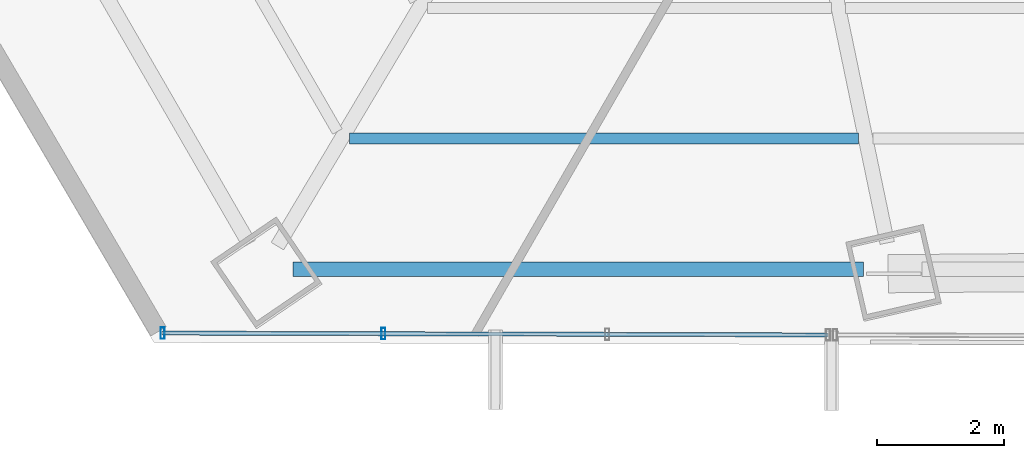
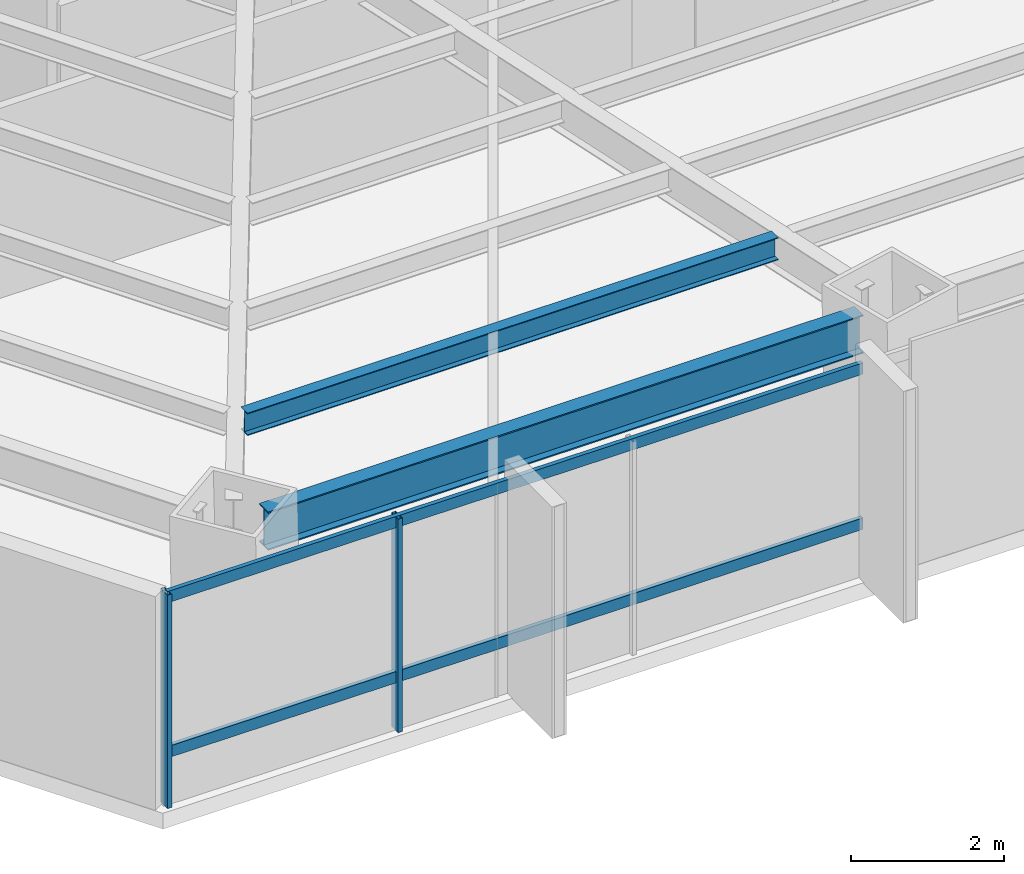
# One storey, part 3 of 33: 4 members, 2 beams, 1 element without a shape of its own.
"""IFC4 building model written with IfcOpenShell, lengths in metres."""

from ifc_helpers import new_model, si_unit, direction, frame, origin, origin_2d, place, context, subcontext, project, spatial, hollow_rectangle, i_section, extrude, source, transform, mapped, material, material_profile, profile_set, type_object, type_shapes, element, aggregate, save


model = new_model("IFC4")

# Units and contexts
model_context = context("Model", 3, precision=1e-05, world=origin(), true_north=direction((0.0, 1.0)))
body_context = subcontext(model_context, "Body", "Model", "MODEL_VIEW")
ifc_project = project(units=[si_unit("LENGTHUNIT", "METRE"), si_unit("AREAUNIT", "SQUARE_METRE"), si_unit("VOLUMEUNIT", "CUBIC_METRE"), si_unit("PLANEANGLEUNIT", "RADIAN"), si_unit("MASSUNIT", "GRAM", prefix="KILO")], contexts=[model_context])

# Site, building, storey
site_placement = place(None, origin())
site = spatial("IfcSite", under=ifc_project, at=site_placement, CompositionType="ELEMENT")
building_placement = place(site_placement, origin())
building = spatial("IfcBuilding", under=site, at=building_placement, Name="Caelisora Broadcast Tower", CompositionType="ELEMENT")
storey_placement = place(building_placement, frame((0.0, 0.0, 38.550048828125)))
storey = spatial("IfcBuildingStorey", under=building, at=storey_placement, Name="L09", CompositionType="ELEMENT", Elevation=38.550048828125)

# Beams
ifc_material_1 = material(Name="Steel Grade 350 (AS/NZS 3679.1)", Category="steel")
ifc_material_profile_1 = material_profile(ifc_material_1, i_section(OverallWidth=0.22900390625, OverallDepth=0.611572265625, WebThickness=0.011962890625, FlangeThickness=0.01953125, at=origin_2d()), Name="Steel Grade 350 (AS/NZS 3679.1)")
ifc_profile_set_1 = profile_set([ifc_material_profile_1], Name="Steel Grade 350 (AS/NZS 3679.1)")
beam_type_1 = type_object("IfcBeamType", Name="PG03", PredefinedType="BEAM", material=ifc_profile_set_1)
shared_shape_1 = source(origin(), body_context, "Body", "SweptSolid", [
    extrude(i_section(OverallWidth=0.22900390625, OverallDepth=0.611572265625, WebThickness=0.011962890625, FlangeThickness=0.01953125, at=origin_2d()), origin(), (0.0, 0.0, 1.0), 8.9658203125),
])
type_shapes(beam_type_1, [shared_shape_1])
beam_1_placement = place(storey_placement, frame((23.631103515625, 5.089111328125, 3.09423828125), z_axis=(1.0, 0.0, 0.0), x_axis=(0.0, 1.0, 0.0)))
element("IfcBeam", 1, at=beam_1_placement, inside=storey, type_object=beam_type_1, Name="L09 beam PG03", PredefinedType="BEAM", context=body_context, shape_type="MappedRepresentation", body=[
    mapped(shared_shape_1, transform((0.0, 0.0, 0.0), scale=1.0)),
])
ifc_material_profile_2 = material_profile(ifc_material_1, i_section(OverallWidth=0.172119140625, OverallDepth=0.358642578125, WebThickness=0.008056640625, FlangeThickness=0.012939453125, at=origin_2d()), Name="Steel Grade 350 (AS/NZS 3679.1)")
ifc_profile_set_2 = profile_set([ifc_material_profile_2], Name="Steel Grade 350 (AS/NZS 3679.1)")
beam_type_2 = type_object("IfcBeamType", Name="SB02", PredefinedType="JOIST", material=ifc_profile_set_2)
shared_shape_2 = source(origin(), body_context, "Body", "SweptSolid", [
    extrude(i_section(OverallWidth=0.172119140625, OverallDepth=0.358642578125, WebThickness=0.008056640625, FlangeThickness=0.012939453125, at=origin_2d()), origin(), (0.0, 0.0, 1.0), 7.9951171875),
])
type_shapes(beam_type_2, [shared_shape_2])
beam_2_placement = place(storey_placement, frame((24.522216796875, 7.14111328125, 3.220703125), z_axis=(1.0, 0.0, 0.0), x_axis=(0.0, 1.0, 0.0)))
element("IfcBeam", 2, at=beam_2_placement, inside=storey, type_object=beam_type_2, Name="L09 beam SB02", PredefinedType="JOIST", context=body_context, shape_type="MappedRepresentation", body=[
    mapped(shared_shape_2, transform((0.0, 0.0, 0.0), scale=1.0)),
])

# Curtain wall, members
ifc_material_2 = material(Name="Unitised Aluminium and Low-E Glass Curtain Wall", Category="glass")
curtain_wall_type = type_object("IfcCurtainWallType", Name="CW-Z1", PredefinedType="NOTDEFINED", material=ifc_material_2)
curtain_wall_placement = place(storey_placement, origin())
curtain_wall = element("IfcCurtainWall", 3, at=curtain_wall_placement, inside=storey, type_object=curtain_wall_type, Name="L09 curtain wall CW-Z1", PredefinedType="NOTDEFINED")
ifc_material_3 = material(Name="Aluminium 6063-T6 Anodised Terracotta Bronze", Category="aluminium")
ifc_material_profile_3 = material_profile(ifc_material_3, hollow_rectangle(XDim=0.06494140625, YDim=0.179931640625, WallThickness=0.00341796875, at=origin_2d()), Name="Aluminium 6063-T6 Anodised Terracotta Bronze")
ifc_profile_set_3 = profile_set([ifc_material_profile_3], Name="Aluminium 6063-T6 Anodised Terracotta Bronze")
member_type_1 = type_object("IfcMemberType", Name="CWM-02", PredefinedType="MULLION", material=ifc_profile_set_3)
shared_shape_3 = source(origin(), body_context, "Body", "SweptSolid", [
    extrude(hollow_rectangle(XDim=0.06494140625, YDim=0.179931640625, WallThickness=0.00341796875, at=origin_2d()), origin(), (0.0, 0.0, 1.0), 3.39990234375),
])
type_shapes(member_type_1, [shared_shape_3])
member_1_placement = place(storey_placement, frame((25.05078125, 4.072998046875, 0.0), z_axis=(0.0, 0.0, 1.0), x_axis=(1.0, 0.0, 0.0)))
member_1 = element("IfcMember", 4, at=member_1_placement, type_object=member_type_1, Name="L09-CW-B07 mullion #2", PredefinedType="MULLION", context=body_context, shape_type="MappedRepresentation", body=[
    mapped(shared_shape_3, transform((0.0, 0.0, 0.0), scale=1.0)),
])
member_2_placement = place(storey_placement, frame((21.5810546875, 4.0830078125, 0.0), z_axis=(0.0, 0.0, 1.0), x_axis=(1.0, 0.0, 0.0)))
member_2 = element("IfcMember", 5, at=member_2_placement, type_object=member_type_1, Name="L09-CW-B07 mullion #3", PredefinedType="MULLION", context=body_context, shape_type="MappedRepresentation", body=[
    mapped(shared_shape_3, transform((0.0, 0.0, 0.0), scale=1.0)),
])
ifc_material_profile_4 = material_profile(ifc_material_3, hollow_rectangle(XDim=0.06494140625, YDim=0.179931640625, WallThickness=0.00341796875, at=origin_2d()), Name="Aluminium 6063-T6 Anodised Terracotta Bronze")
ifc_profile_set_4 = profile_set([ifc_material_profile_4], Name="Aluminium 6063-T6 Anodised Terracotta Bronze")
member_type_2 = type_object("IfcMemberType", Name="CWT-01", PredefinedType="USERDEFINED", material=ifc_profile_set_4)
shared_shape_4 = source(origin(), body_context, "Body", "SweptSolid", [
    extrude(hollow_rectangle(XDim=0.06494140625, YDim=0.179931640625, WallThickness=0.00341796875, at=origin_2d()), origin(), (0.0, 0.0, 1.0), 10.459716796875),
])
type_shapes(member_type_2, [shared_shape_4])
member_3_placement = place(storey_placement, frame((32.040771484375, 4.0537109375, 0.849853515625), z_axis=(-0.999996077435, 0.002800913318, 0.0), x_axis=(-0.002800913318, -0.999996077435, 0.0)))
member_3 = element("IfcMember", 6, at=member_3_placement, type_object=member_type_2, Name="L09-CW-B07 transom #1", ObjectType="TRANSOM", PredefinedType="USERDEFINED", context=body_context, shape_type="MappedRepresentation", body=[
    mapped(shared_shape_4, transform((0.0, 0.0, 0.0), scale=1.0)),
])
member_4_placement = place(storey_placement, frame((32.040771484375, 4.0537109375, 3.320068359375), z_axis=(-0.999996077435, 0.002800913318, 0.0), x_axis=(-0.002800913318, -0.999996077435, 0.0)))
member_4 = element("IfcMember", 7, at=member_4_placement, type_object=member_type_2, Name="L09-CW-B07 transom #2", ObjectType="TRANSOM", PredefinedType="USERDEFINED", context=body_context, shape_type="MappedRepresentation", body=[
    mapped(shared_shape_4, transform((0.0, 0.0, 0.0), scale=1.0)),
])
aggregate(curtain_wall, [member_1, member_2, member_3, member_4])

save(model, "model.ifc")
